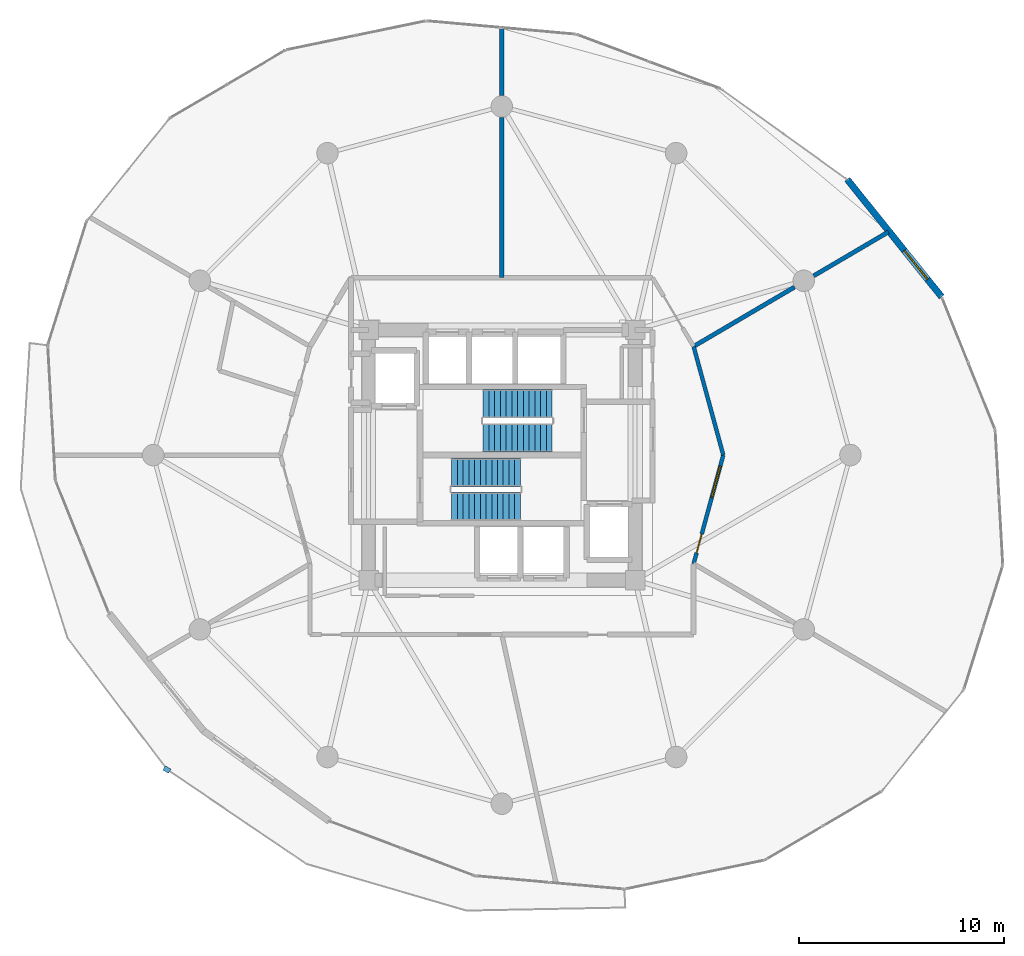
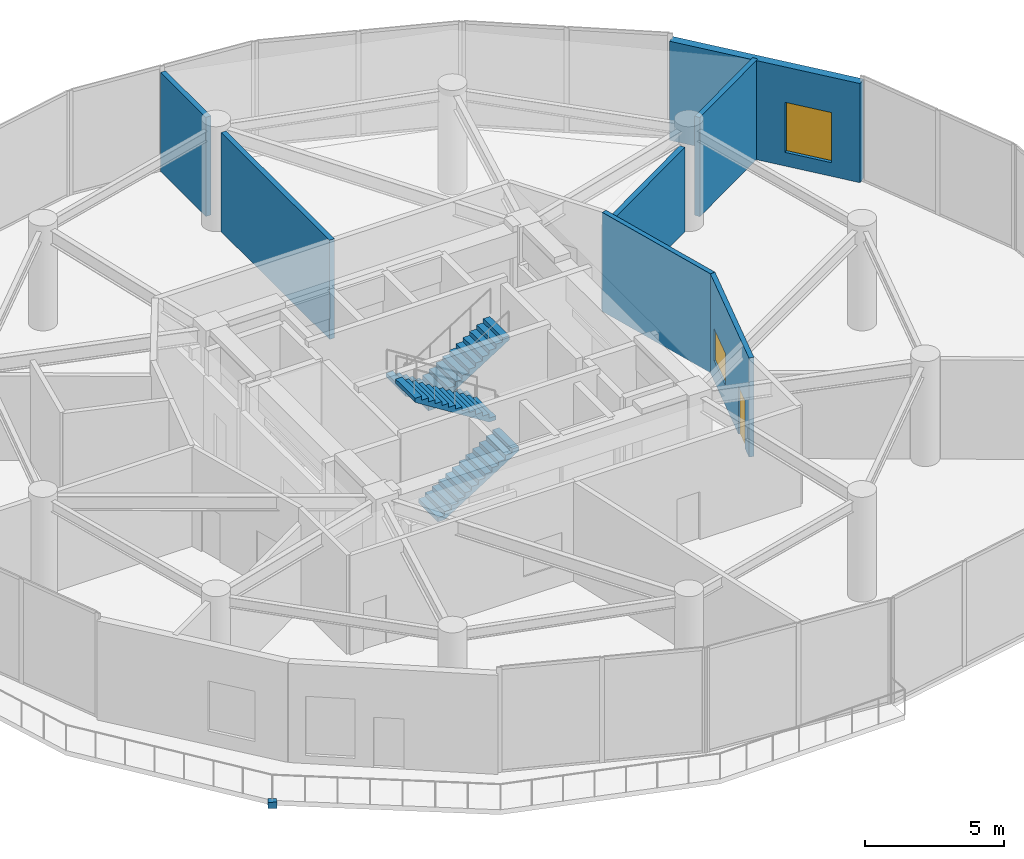
# One storey, part 26 of 28: 7 walls, 4 stair flights, 2 windows, 1 discrete accessory, 1 door, 3 openings, 2 elements without a shape of their own.
"""IFC4 building model written with IfcOpenShell, lengths in metres."""

from ifc_helpers import new_model, si_unit, direction, frame, frame_2d, origin, origin_2d, place, context, subcontext, project, spatial, polyline, rectangle, outline, extrude, material, layer, layer_set, type_object, element, fill, aggregate, save


model = new_model("IFC4")

# Units and contexts
model_context = context("Model", 3, precision=1e-05, world=origin(), true_north=direction((0.0, 1.0)))
body_context = subcontext(model_context, "Body", "Model", "MODEL_VIEW")
ifc_project = project(units=[si_unit("LENGTHUNIT", "METRE"), si_unit("AREAUNIT", "SQUARE_METRE"), si_unit("VOLUMEUNIT", "CUBIC_METRE"), si_unit("PLANEANGLEUNIT", "RADIAN"), si_unit("MASSUNIT", "GRAM", prefix="KILO")], contexts=[model_context])

# Site, building, storey
site_placement = place(None, origin())
site = spatial("IfcSite", under=ifc_project, at=site_placement, CompositionType="ELEMENT")
building_placement = place(site_placement, origin())
building = spatial("IfcBuilding", under=site, at=building_placement, Name="Solvirekh Grand Hotel", CompositionType="ELEMENT")
storey_placement = place(building_placement, frame((0.0, 0.0, 98.0)))
storey = spatial("IfcBuildingStorey", under=building, at=storey_placement, Name="L24", CompositionType="ELEMENT", Elevation=98.0)

# Wall, opening, window
ifc_material_1 = material(Name="Precast concrete C45/55", Category="concrete")
ifc_layer_1 = layer(ifc_material_1, 0.320068359375)
ifc_layer_set_1 = layer_set([ifc_layer_1], Name="Precast concrete C45/55")
wall_type_1 = type_object("IfcWallType", Name="ExtLobbyWall_RC320", PredefinedType="SOLIDWALL", material=ifc_layer_set_1)
wall_1_placement = place(storey_placement, frame((16.845947265625, 13.443115234375, 0.0), z_axis=(0.0, 0.0, 1.0), x_axis=(0.626452409109, -0.77945967126, 0.0)))
wall_1 = element("IfcWall", 1, at=wall_1_placement, inside=storey, type_object=wall_type_1, Name="L24 exterior structural wall chord 4", PredefinedType="SOLIDWALL", context=body_context, shape_type="SweptSolid", body=[
    extrude(rectangle(XDim=7.34619140625, YDim=0.320068359375, at=frame_2d((3.673095703125, 0.0))), origin(), (0.0, 0.0, 1.0), 4.35009765625),
])
opening_1_placement = place(wall_1_placement, frame((4.448974609375, 0.0, 0.60009765625)))
opening_1 = element("IfcOpeningElement", 2, at=opening_1_placement, cuts=wall_1, Name="Opening SK02", PredefinedType="OPENING", context=body_context, shape_type="SweptSolid", body=[
    extrude(rectangle(XDim=1.800048828125, YDim=2.199951171875, at=frame_2d((0.89990234375, 1.10009765625))), frame((0.0, 0.169921875, 0.0), z_axis=(0.0, -1.0, 0.0), x_axis=(1.0, 0.0, 0.0)), (0.0, 0.0, 1.0), 0.340087890625),
])
ifc_material_2 = material(Name="Champagne Low-Iron Crown Laminated Glass", Category="glass")
window_type_1 = type_object("IfcWindowType", Name="Skylight_Pod_1800X2200", PartitioningType="SINGLE_PANEL", PredefinedType="SKYLIGHT", material=ifc_material_2)
window_1_placement = place(opening_1_placement, origin())
window_1 = element("IfcWindow", 3, at=window_1_placement, inside=storey, type_object=window_type_1, Name="L24 high-level clerestory skylight 4", OverallHeight=2.199951171875, OverallWidth=1.800048828125, PartitioningType="SINGLE_PANEL", PredefinedType="SKYLIGHT", context=body_context, shape_type="SweptSolid", body=[
    extrude(rectangle(XDim=1.800048828125, YDim=2.199951171875, at=frame_2d((0.89990234375, 1.10009765625))), frame((0.0, 0.030029296875, 0.0), z_axis=(0.0, -1.0, 0.0), x_axis=(1.0, 0.0, 0.0)), (0.0, 0.0, 1.0), 0.06005859375),
])
fill(opening_1, window_1)

# Wall, openings, door, window
ifc_material_3 = material(Name="Acoustic Gypsum Partition Assembly")
ifc_layer_2 = layer(ifc_material_3, 0.18994140625)
ifc_layer_set_2 = layer_set([ifc_layer_2], Name="Acoustic Gypsum Partition Assembly")
wall_type_2 = type_object("IfcWallType", Name="Part_GuestDemise_190", PredefinedType="PARTITIONING", material=ifc_layer_set_2)
wall_2_placement = place(storey_placement, frame((9.35302734375, -5.300048828125, 0.0), z_axis=(0.0, 0.0, 1.0), x_axis=(0.263380602271, 0.964692001805, 0.0)))
wall_2 = element("IfcWall", 4, at=wall_2_placement, inside=storey, type_object=wall_type_2, Name="L24 Panoramic Champagne & Tea Restaurant corridor wall", PredefinedType="PARTITIONING", context=body_context, shape_type="SweptSolid", body=[
    extrude(rectangle(XDim=5.494140625, YDim=0.18994140625, at=frame_2d((2.7470703125, 0.0))), origin(), (0.0, 0.0, 1.0), 4.35009765625),
])
opening_2_placement = place(wall_2_placement, frame((0.550048828125, 0.0, 0.0)))
opening_2 = element("IfcOpeningElement", 5, at=opening_2_placement, cuts=wall_2, Name="Opening D10", PredefinedType="OPENING", context=body_context, shape_type="SweptSolid", body=[
    extrude(rectangle(XDim=0.949951171875, YDim=2.10009765625, at=frame_2d((0.47509765625, 1.050048828125))), frame((0.0, 0.10498046875, 0.0), z_axis=(0.0, -1.0, 0.0), x_axis=(1.0, 0.0, 0.0)), (0.0, 0.0, 1.0), 0.2099609375),
])
opening_3_placement = place(wall_2_placement, frame((3.343994140625, 0.0, 0.89990234375)))
opening_3 = element("IfcOpeningElement", 6, at=opening_3_placement, cuts=wall_2, Name="Opening W04", PredefinedType="OPENING", context=body_context, shape_type="SweptSolid", body=[
    extrude(rectangle(XDim=1.60009765625, YDim=1.39990234375, at=frame_2d((0.800048828125, 0.699951171875))), frame((0.0, 0.10498046875, 0.0), z_axis=(0.0, -1.0, 0.0), x_axis=(1.0, 0.0, 0.0)), (0.0, 0.0, 1.0), 0.2099609375),
])
ifc_material_4 = material(Name="Anodized Bronze Aluminium 6063-T6", Category="aluminium")
door_type = type_object("IfcDoorType", Name="Door_RoomInt_950X2100", OperationType="NOTDEFINED", PredefinedType="DOOR", material=ifc_material_4)
door_placement = place(opening_2_placement, origin())
door = element("IfcDoor", 7, at=door_placement, inside=storey, type_object=door_type, Name="L24 Panoramic Champagne & Tea Restaurant entrance door", OperationType="SINGLE_SWING_LEFT", OverallHeight=2.10009765625, OverallWidth=0.949951171875, PredefinedType="DOOR", context=body_context, shape_type="SweptSolid", body=[
    extrude(rectangle(XDim=0.949951171875, YDim=2.10009765625, at=frame_2d((0.47509765625, 1.050048828125))), frame((0.0, 0.02490234375, 0.0), z_axis=(0.0, -1.0, 0.0), x_axis=(1.0, 0.0, 0.0)), (0.0, 0.0, 1.0), 0.050048828125),
])
fill(opening_2, door)
ifc_material_5 = material(Name="Fire-Rated Ceramic Glazing", Category="glass")
window_type_2 = type_object("IfcWindowType", Name="Win_ConfInt_1600X1400", PartitioningType="SINGLE_PANEL", PredefinedType="WINDOW", material=ifc_material_5)
window_2_placement = place(opening_3_placement, origin())
window_2 = element("IfcWindow", 8, at=window_2_placement, inside=storey, type_object=window_type_2, Name="L24 Panoramic Champagne & Tea Restaurant interior glazed screen", OverallHeight=1.39990234375, OverallWidth=1.60009765625, PartitioningType="SINGLE_PANEL", PredefinedType="WINDOW", context=body_context, shape_type="SweptSolid", body=[
    extrude(rectangle(XDim=1.60009765625, YDim=1.39990234375, at=frame_2d((0.800048828125, 0.699951171875))), frame((0.0, 0.030029296875, 0.0), z_axis=(0.0, -1.0, 0.0), x_axis=(1.0, 0.0, 0.0)), (0.0, 0.0, 1.0), 0.06005859375),
])
fill(opening_3, window_2)

# Walls
wall_3_placement = place(storey_placement, frame((10.800048828125, 0.0, 0.0), z_axis=(0.0, 0.0, 1.0), x_axis=(-0.263380602271, 0.964692001805, 0.0)))
element("IfcWall", 9, at=wall_3_placement, inside=storey, type_object=wall_type_2, Name="L24 Panoramic Champagne & Tea Restaurant corridor wall 2", PredefinedType="PARTITIONING", context=body_context, shape_type="SweptSolid", body=[
    extrude(rectangle(XDim=5.494140625, YDim=0.18994140625, at=frame_2d((2.7470703125, 0.0))), origin(), (0.0, 0.0, 1.0), 4.35009765625),
])
ifc_layer_3 = layer(ifc_material_3, 0.2099609375)
ifc_layer_set_3 = layer_set([ifc_layer_3], Name="Acoustic Gypsum Partition Assembly")
wall_type_3 = type_object("IfcWallType", Name="Part_SuiteDemise_210", PredefinedType="PARTITIONING", material=ifc_layer_set_3)
wall_4_placement = place(storey_placement, frame((9.35302734375, 5.300048828125, 0.0), z_axis=(0.0, 0.0, 1.0), x_axis=(0.862060677735, 0.506805078805, 0.0)))
element("IfcWall", 10, at=wall_4_placement, inside=storey, type_object=wall_type_3, Name="L24 radial demising wall 2 (A)", PredefinedType="PARTITIONING", context=body_context, shape_type="SweptSolid", body=[
    extrude(rectangle(XDim=5.7060546875, YDim=0.2099609375, at=frame_2d((2.85302734375, 0.0))), origin(), (0.0, 0.0, 1.0), 3.718017578125),
])
wall_5_placement = place(storey_placement, frame((15.2099609375, 8.742919921875, 0.0), z_axis=(0.0, 0.0, 1.0), x_axis=(0.86206788284, 0.506792822932, 0.0)))
element("IfcWall", 11, at=wall_5_placement, inside=storey, type_object=wall_type_3, Name="L24 radial demising wall 2 (B)", PredefinedType="PARTITIONING", context=body_context, shape_type="SweptSolid", body=[
    extrude(rectangle(XDim=4.224853515625, YDim=0.2099609375, at=frame_2d((2.1123046875, 0.0))), origin(), (0.0, 0.0, 1.0), 4.35009765625),
])
wall_6_placement = place(storey_placement, frame((0.0, 8.64990234375, 0.0), z_axis=(0.0, 0.0, 1.0), x_axis=(0.0, 1.0, 0.0)))
element("IfcWall", 12, at=wall_6_placement, inside=storey, type_object=wall_type_3, Name="L24 Sky Lobby dividing partition 1 (A)", PredefinedType="PARTITIONING", context=body_context, shape_type="SweptSolid", body=[
    extrude(rectangle(XDim=7.80517578125, YDim=0.2099609375, at=frame_2d((3.902587890625, 0.0))), origin(), (0.0, 0.0, 1.0), 4.35009765625),
])
wall_7_placement = place(storey_placement, frame((0.0, 17.544921875, 0.0), z_axis=(0.0, 0.0, 1.0), x_axis=(0.0, 1.0, 0.0)))
element("IfcWall", 13, at=wall_7_placement, inside=storey, type_object=wall_type_3, Name="L24 Sky Lobby dividing partition 1 (B)", PredefinedType="PARTITIONING", context=body_context, shape_type="SweptSolid", body=[
    extrude(rectangle(XDim=3.256103515625, YDim=0.2099609375, at=frame_2d((1.6279296875, 0.0))), origin(), (0.0, 0.0, 1.0), 4.35009765625),
])

# Stair, stair flights
ifc_material_6 = material(Name="Concrete C40/50", Category="concrete")
stair_type = type_object("IfcStairType", Name="Stair_Core_1450", PredefinedType="HALF_TURN_STAIR", material=ifc_material_6)
stair_1_placement = place(storey_placement, origin())
stair_1 = element("IfcStair", 14, at=stair_1_placement, inside=storey, type_object=stair_type, Name="L24 Enclosed exit stair ST-1", PredefinedType="HALF_TURN_STAIR")
stair_flight_type = type_object("IfcStairFlightType", Name="Flight_Core_1450", PredefinedType="STRAIGHT", material=ifc_material_6)
stair_flight_1_placement = place(storey_placement, frame((-2.449951171875, -2.5, 0.0), z_axis=(0.0, 0.0, 1.0), x_axis=(1.0, 0.0, 0.0)))
stair_flight_1 = element("IfcStairFlight", 15, at=stair_flight_1_placement, type_object=stair_flight_type, Name="ST-1 flight 1", NumberOfRisers=13, NumberOfTreads=12, PredefinedType="STRAIGHT", RiserHeight=0.176923077, TreadLength=0.28, context=body_context, shape_type="SweptSolid", body=[
    extrude(outline(polyline([(0.0, 0.0), (0.0, 0.177001953125), (0.280029296875, 0.177001953125), (0.280029296875, 0.353759765625), (0.56005859375, 0.353759765625), (0.56005859375, 0.53076171875), (0.840087890625, 0.53076171875), (0.840087890625, 0.707763671875), (1.1201171875, 0.707763671875), (1.1201171875, 0.884521484375), (1.39990234375, 0.884521484375), (1.39990234375, 1.0615234375), (1.679931640625, 1.0615234375), (1.679931640625, 1.238525390625), (1.9599609375, 1.238525390625), (1.9599609375, 1.415283203125), (2.239990234375, 1.415283203125), (2.239990234375, 1.59228515625), (2.52001953125, 1.59228515625), (2.52001953125, 1.769287109375), (2.800048828125, 1.769287109375), (2.800048828125, 1.946044921875), (3.080078125, 1.946044921875), (3.080078125, 2.123046875), (3.360107421875, 2.123046875), (3.360107421875, 2.300048828125), (3.360107421875, 1.94580078125), (0.280517578125, 0.0), (0.0, 0.0)])), frame((0.0, 0.699951171875, 0.0), z_axis=(0.0, -1.0, 0.0), x_axis=(1.0, 0.0, 0.0)), (0.0, 0.0, 1.0), 1.39990234375),
])
stair_flight_2_placement = place(storey_placement, frame((0.909912109375, -0.85009765625, 2.300048828125), z_axis=(0.0, 0.0, 1.0), x_axis=(-1.0, 0.0, 0.0)))
stair_flight_2 = element("IfcStairFlight", 16, at=stair_flight_2_placement, type_object=stair_flight_type, Name="ST-1 flight 2", NumberOfRisers=13, NumberOfTreads=12, PredefinedType="STRAIGHT", RiserHeight=0.176923077, TreadLength=0.28, context=body_context, shape_type="SweptSolid", body=[
    extrude(outline(polyline([(0.0, 0.0), (0.0, 0.177001953125), (0.280029296875, 0.177001953125), (0.280029296875, 0.353759765625), (0.56005859375, 0.353759765625), (0.56005859375, 0.53076171875), (0.840087890625, 0.53076171875), (0.840087890625, 0.707763671875), (1.1201171875, 0.707763671875), (1.1201171875, 0.884521484375), (1.39990234375, 0.884521484375), (1.39990234375, 1.0615234375), (1.679931640625, 1.0615234375), (1.679931640625, 1.238525390625), (1.9599609375, 1.238525390625), (1.9599609375, 1.415283203125), (2.239990234375, 1.415283203125), (2.239990234375, 1.59228515625), (2.52001953125, 1.59228515625), (2.52001953125, 1.769287109375), (2.800048828125, 1.769287109375), (2.800048828125, 1.946044921875), (3.080078125, 1.946044921875), (3.080078125, 2.123046875), (3.360107421875, 2.123046875), (3.360107421875, 2.300048828125), (3.360107421875, 1.94580078125), (0.280517578125, 0.0), (0.0, 0.0)])), frame((0.0, 0.699951171875, 0.0), z_axis=(0.0, -1.0, 0.0), x_axis=(1.0, 0.0, 0.0)), (0.0, 0.0, 1.0), 1.39990234375),
])
aggregate(stair_1, [stair_flight_1, stair_flight_2])

stair_2_placement = place(storey_placement, origin())
stair_2 = element("IfcStair", 17, at=stair_2_placement, inside=storey, type_object=stair_type, Name="L24 Enclosed exit stair ST-2", PredefinedType="HALF_TURN_STAIR")
stair_flight_3_placement = place(storey_placement, frame((2.449951171875, 2.5, 0.0), z_axis=(0.0, 0.0, 1.0), x_axis=(-1.0, 0.0, 0.0)))
stair_flight_3 = element("IfcStairFlight", 18, at=stair_flight_3_placement, type_object=stair_flight_type, Name="ST-2 flight 1", NumberOfRisers=13, NumberOfTreads=12, PredefinedType="STRAIGHT", RiserHeight=0.176923077, TreadLength=0.28, context=body_context, shape_type="SweptSolid", body=[
    extrude(outline(polyline([(0.0, 0.0), (0.0, 0.177001953125), (0.280029296875, 0.177001953125), (0.280029296875, 0.353759765625), (0.56005859375, 0.353759765625), (0.56005859375, 0.53076171875), (0.840087890625, 0.53076171875), (0.840087890625, 0.707763671875), (1.1201171875, 0.707763671875), (1.1201171875, 0.884521484375), (1.39990234375, 0.884521484375), (1.39990234375, 1.0615234375), (1.679931640625, 1.0615234375), (1.679931640625, 1.238525390625), (1.9599609375, 1.238525390625), (1.9599609375, 1.415283203125), (2.239990234375, 1.415283203125), (2.239990234375, 1.59228515625), (2.52001953125, 1.59228515625), (2.52001953125, 1.769287109375), (2.800048828125, 1.769287109375), (2.800048828125, 1.946044921875), (3.080078125, 1.946044921875), (3.080078125, 2.123046875), (3.360107421875, 2.123046875), (3.360107421875, 2.300048828125), (3.360107421875, 1.94580078125), (0.280517578125, 0.0), (0.0, 0.0)])), frame((0.0, 0.699951171875, 0.0), z_axis=(0.0, -1.0, 0.0), x_axis=(1.0, 0.0, 0.0)), (0.0, 0.0, 1.0), 1.39990234375),
])
stair_flight_4_placement = place(storey_placement, frame((-0.909912109375, 0.85009765625, 2.300048828125), z_axis=(0.0, 0.0, 1.0), x_axis=(1.0, 0.0, 0.0)))
stair_flight_4 = element("IfcStairFlight", 19, at=stair_flight_4_placement, type_object=stair_flight_type, Name="ST-2 flight 2", NumberOfRisers=13, NumberOfTreads=12, PredefinedType="STRAIGHT", RiserHeight=0.176923077, TreadLength=0.28, context=body_context, shape_type="SweptSolid", body=[
    extrude(outline(polyline([(0.0, 0.0), (0.0, 0.177001953125), (0.280029296875, 0.177001953125), (0.280029296875, 0.353759765625), (0.56005859375, 0.353759765625), (0.56005859375, 0.53076171875), (0.840087890625, 0.53076171875), (0.840087890625, 0.707763671875), (1.1201171875, 0.707763671875), (1.1201171875, 0.884521484375), (1.39990234375, 0.884521484375), (1.39990234375, 1.0615234375), (1.679931640625, 1.0615234375), (1.679931640625, 1.238525390625), (1.9599609375, 1.238525390625), (1.9599609375, 1.415283203125), (2.239990234375, 1.415283203125), (2.239990234375, 1.59228515625), (2.52001953125, 1.59228515625), (2.52001953125, 1.769287109375), (2.800048828125, 1.769287109375), (2.800048828125, 1.946044921875), (3.080078125, 1.946044921875), (3.080078125, 2.123046875), (3.360107421875, 2.123046875), (3.360107421875, 2.300048828125), (3.360107421875, 1.94580078125), (0.280517578125, 0.0), (0.0, 0.0)])), frame((0.0, 0.699951171875, 0.0), z_axis=(0.0, -1.0, 0.0), x_axis=(1.0, 0.0, 0.0)), (0.0, 0.0, 1.0), 1.39990234375),
])
aggregate(stair_2, [stair_flight_3, stair_flight_4])

# Discrete accessory
ifc_material_7 = material(Name="Steel S355", Category="steel")
discrete_accessory_type = type_object("IfcDiscreteAccessoryType", Name="Acc_ThermalBracket", PredefinedType="BRACKET", material=ifc_material_7)
discrete_accessory_placement = place(storey_placement, frame((-16.330078125, -15.333984375, -0.27978515625), z_axis=(0.0, 0.0, 1.0), x_axis=(0.881303452065, -0.472550764869, 0.0)))
element("IfcDiscreteAccessory", 20, at=discrete_accessory_placement, inside=storey, type_object=discrete_accessory_type, Name="L24 balcony thermal-break bracket", PredefinedType="BRACKET", context=body_context, shape_type="SweptSolid", body=[
    extrude(rectangle(XDim=0.320068359375, YDim=0.239990234375, at=origin_2d()), origin(), (0.0, 0.0, 1.0), 0.280029296875),
])

save(model, "model.ifc")
